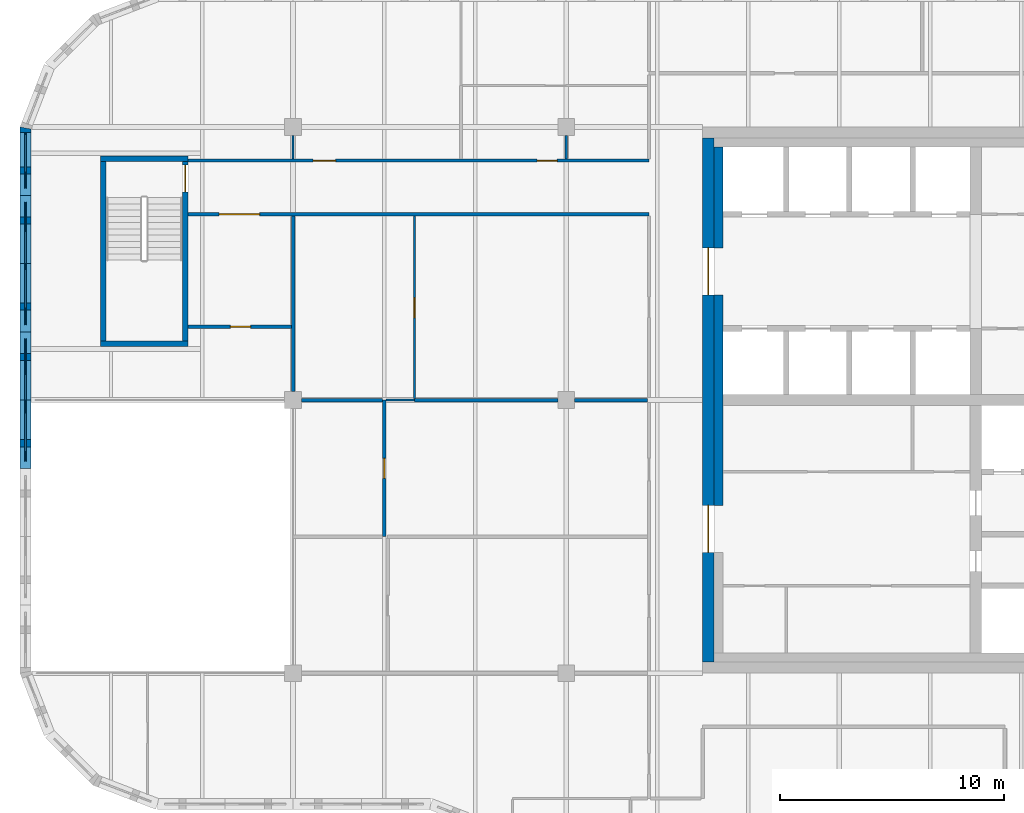
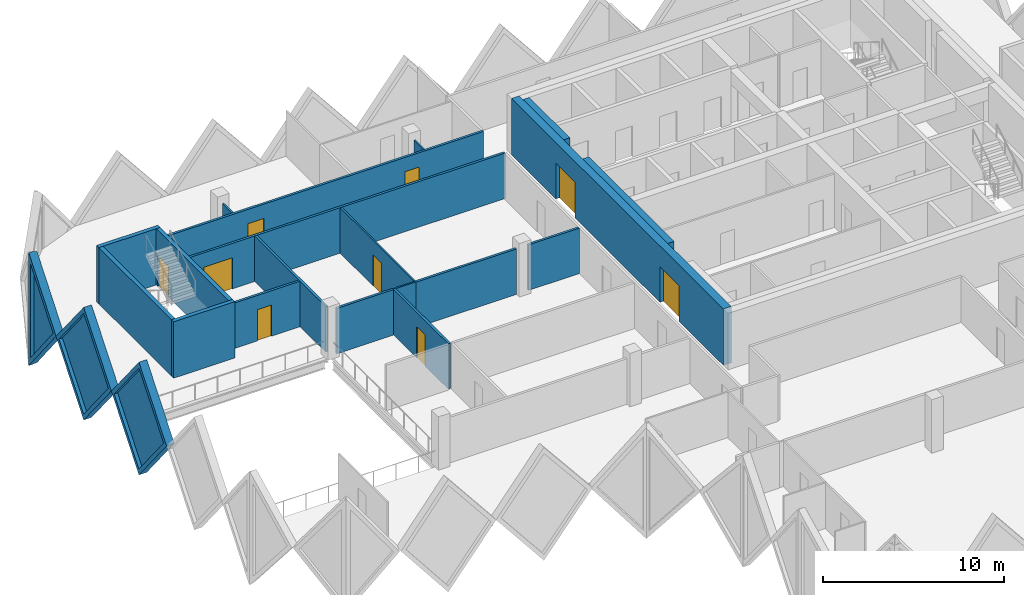
# One storey, part 7 of 12: 22 walls, 9 doors, 3 plates, 12 openings.
"""IFC4 building model written with IfcOpenShell, lengths in metres."""

from ifc_helpers import new_model, si_unit, direction, frame, frame_2d, origin, place, context, subcontext, project, spatial, polyline, rectangle, outline, extrude, faceted_brep, source, transform, mapped, material, layer, layer_set, type_object, element, fill, save


model = new_model("IFC4")

# Units and contexts
model_context = context("Model", 3, precision=1e-05, world=origin(), true_north=direction((0.0, 1.0)))
body_context = subcontext(model_context, "Body", "Model", "MODEL_VIEW")
ifc_project = project(units=[si_unit("LENGTHUNIT", "METRE"), si_unit("AREAUNIT", "SQUARE_METRE"), si_unit("VOLUMEUNIT", "CUBIC_METRE"), si_unit("PLANEANGLEUNIT", "RADIAN"), si_unit("MASSUNIT", "GRAM", prefix="KILO")], contexts=[model_context])

# Site, building, storey
site_placement = place(None, origin())
site = spatial("IfcSite", under=ifc_project, at=site_placement, CompositionType="ELEMENT")
building_placement = place(site_placement, origin())
building = spatial("IfcBuilding", under=site, at=building_placement, Name="Tessera Gate Towers", CompositionType="ELEMENT")
storey_placement = place(building_placement, frame((0.0, 0.0, 209.300048828125)))
storey = spatial("IfcBuildingStorey", under=building, at=storey_placement, Name="L52", CompositionType="ELEMENT", Elevation=209.300048828125)

# Walls
ifc_material_1 = material(Name="Concrete C40/50", Category="concrete")
ifc_layer_1 = layer(ifc_material_1, 0.25)
ifc_layer_set_1 = layer_set([ifc_layer_1], Name="CORE ENCLOSURE WALL 250")
wall_type_1 = type_object("IfcWallType", Name="CORE ENCLOSURE WALL 250", PredefinedType="SOLIDWALL", material=ifc_layer_set_1)
wall_1_placement = place(storey_placement, frame((7.5, 39.125, 0.0), z_axis=(0.0, 0.0, 1.0), x_axis=(-1.0, 0.0, 0.0)))
element("IfcWall", 1, at=wall_1_placement, inside=storey, type_object=wall_type_1, Name="L52 ST3 enclosure wall", PredefinedType="SOLIDWALL", context=body_context, shape_type="SweptSolid", body=[
    extrude(rectangle(XDim=3.89990234375, YDim=0.25, at=frame_2d((1.949951171875, 0.0))), origin(), (0.0, 0.0, 1.0), 3.800048828125),
])
wall_2_placement = place(storey_placement, frame((3.72509765625, 39.25, 0.0), z_axis=(0.0, 0.0, 1.0), x_axis=(0.0, 1.0, 0.0)))
element("IfcWall", 2, at=wall_2_placement, inside=storey, type_object=wall_type_1, Name="L52 ST3 enclosure wall", PredefinedType="SOLIDWALL", context=body_context, shape_type="SweptSolid", body=[
    extrude(rectangle(XDim=8.0, YDim=0.25, at=frame_2d((4.0, 0.0))), origin(), (0.0, 0.0, 1.0), 3.800048828125),
])
wall_3_placement = place(storey_placement, frame((3.60009765625, 47.375, 0.0), z_axis=(0.0, 0.0, 1.0), x_axis=(1.0, 0.0, 0.0)))
element("IfcWall", 3, at=wall_3_placement, inside=storey, type_object=wall_type_1, Name="L52 ST3 enclosure wall", PredefinedType="SOLIDWALL", context=body_context, shape_type="SweptSolid", body=[
    extrude(rectangle(XDim=3.89990234375, YDim=0.25, at=frame_2d((1.949951171875, 0.0))), origin(), (0.0, 0.0, 1.0), 3.800048828125),
])

# Wall, opening, door
wall_4_placement = place(storey_placement, frame((7.375, 47.25, 0.0), z_axis=(0.0, 0.0, 1.0), x_axis=(0.0, -1.0, 0.0)))
wall_4 = element("IfcWall", 4, at=wall_4_placement, inside=storey, type_object=wall_type_1, Name="L52 ST3 enclosure wall", PredefinedType="SOLIDWALL", context=body_context, shape_type="SweptSolid", body=[
    extrude(rectangle(XDim=8.0, YDim=0.25, at=frame_2d((4.0, 0.0))), origin(), (0.0, 0.0, 1.0), 3.800048828125),
])
shared_shape_1 = source(origin(), body_context, "Body", "SweptSolid", [
    extrude(rectangle(XDim=1.199951171875, YDim=2.10009765625, at=frame_2d((0.60009765625, 1.050048828125))), frame((0.0, 0.135009765625, 0.0), z_axis=(0.0, -1.0, 0.0), x_axis=(1.0, 0.0, 0.0)), (0.0, 0.0, 1.0), 0.27001953125),
])
opening_1_placement = place(wall_4_placement, frame((0.14990234375, 0.0, 0.0)))
opening_1 = element("IfcOpeningElement", 5, at=opening_1_placement, cuts=wall_4, Name="Opening SD-ST3-1", PredefinedType="OPENING", context=body_context, shape_type="MappedRepresentation", body=[
    mapped(shared_shape_1, transform((0.0, 0.0, 0.0), scale=1.0)),
])
ifc_material_2 = material(Name="Hollow steel fire door", Category="steel")
door_type_1 = type_object("IfcDoorType", Name="CORE DOOR SD 1200x2100", OperationType="NOTDEFINED", PredefinedType="DOOR", material=ifc_material_2)
shared_shape_2 = source(origin(), body_context, "Body", "SweptSolid", [
    extrude(rectangle(XDim=1.199951171875, YDim=2.10009765625, at=frame_2d((0.60009765625, 1.050048828125))), frame((0.0, 0.02490234375, 0.0), z_axis=(0.0, -1.0, 0.0), x_axis=(1.0, 0.0, 0.0)), (0.0, 0.0, 1.0), 0.050048828125),
])
door_1_placement = place(opening_1_placement, origin())
door_1 = element("IfcDoor", 6, at=door_1_placement, inside=storey, type_object=door_type_1, Name="Stair door", OperationType="SINGLE_SWING_LEFT", OverallHeight=2.10009765625, OverallWidth=1.199951171875, PredefinedType="DOOR", context=body_context, shape_type="MappedRepresentation", body=[
    mapped(shared_shape_2, transform((0.0, 0.0, 0.0), scale=1.0)),
])
fill(opening_1, door_1)

# Wall, openings, doors
ifc_material_3 = material(Name="Concrete C50/60", Category="concrete")
ifc_layer_2 = layer(ifc_material_3, 0.5)
ifc_layer_set_2 = layer_set([ifc_layer_2], Name="CORE SHEAR WALL 500 C50/60")
wall_type_2 = type_object("IfcWallType", Name="CORE SHEAR WALL 500 C50/60", PredefinedType="SHEAR", material=ifc_layer_set_2)
wall_5_placement = place(storey_placement, frame((30.75, 24.89990234375, 0.0), z_axis=(0.0, 0.0, 1.0), x_axis=(0.0, 1.0, 0.0)))
wall_5 = element("IfcWall", 7, at=wall_5_placement, inside=storey, type_object=wall_type_2, Name="Core wall W L52", PredefinedType="SHEAR", context=body_context, shape_type="SweptSolid", body=[
    extrude(rectangle(XDim=23.400146484375, YDim=0.5, at=frame_2d((11.7001953125, 0.0))), origin(), (0.0, 0.0, 1.0), 3.800048828125),
])
shared_shape_3 = source(origin(), body_context, "Body", "SweptSolid", [
    extrude(rectangle(XDim=2.10009765625, YDim=2.39990234375, at=frame_2d((1.050048828125, 1.199951171875))), frame((0.0, 0.260009765625, 0.0), z_axis=(0.0, -1.0, 0.0), x_axis=(1.0, 0.0, 0.0)), (0.0, 0.0, 1.0), 0.52001953125),
])
opening_2_placement = place(wall_5_placement, frame((4.89990234375, 0.0, 0.0)))
opening_2 = element("IfcOpeningElement", 8, at=opening_2_placement, cuts=wall_5, Name="Opening DD-T1-32-02", PredefinedType="OPENING", context=body_context, shape_type="MappedRepresentation", body=[
    mapped(shared_shape_3, transform((0.0, 0.0, 0.0), scale=1.0)),
])
opening_3_placement = place(wall_5_placement, frame((16.39990234375, 0.0, 0.0)))
opening_3 = element("IfcOpeningElement", 9, at=opening_3_placement, cuts=wall_5, Name="Opening DD-T1-32-03", PredefinedType="OPENING", context=body_context, shape_type="MappedRepresentation", body=[
    mapped(shared_shape_3, transform((0.0, 0.0, 0.0), scale=1.0)),
])
ifc_material_4 = material(Name="Hollow steel fire door", Category="steel")
door_type_2 = type_object("IfcDoorType", Name="CORE DOOR DD 2100x2400", OperationType="NOTDEFINED", PredefinedType="DOOR", material=ifc_material_4)
shared_shape_4 = source(origin(), body_context, "Body", "SweptSolid", [
    extrude(rectangle(XDim=2.10009765625, YDim=2.39990234375, at=frame_2d((1.050048828125, 1.199951171875))), frame((0.0, 0.02490234375, 0.0), z_axis=(0.0, -1.0, 0.0), x_axis=(1.0, 0.0, 0.0)), (0.0, 0.0, 1.0), 0.050048828125),
])
door_2_placement = place(opening_2_placement, origin())
door_2 = element("IfcDoor", 10, at=door_2_placement, inside=storey, type_object=door_type_2, Name="Core entrance door", OperationType="DOUBLE_DOOR_SINGLE_SWING", OverallHeight=2.39990234375, OverallWidth=2.10009765625, PredefinedType="DOOR", context=body_context, shape_type="MappedRepresentation", body=[
    mapped(shared_shape_4, transform((0.0, 0.0, 0.0), scale=1.0)),
])
fill(opening_2, door_2)
door_3_placement = place(opening_3_placement, origin())
door_3 = element("IfcDoor", 11, at=door_3_placement, inside=storey, type_object=door_type_2, Name="Core entrance door", OperationType="DOUBLE_DOOR_SINGLE_SWING", OverallHeight=2.39990234375, OverallWidth=2.10009765625, PredefinedType="DOOR", context=body_context, shape_type="MappedRepresentation", body=[
    mapped(shared_shape_4, transform((0.0, 0.0, 0.0), scale=1.0)),
])
fill(opening_3, door_3)

# Walls
ifc_material_5 = material(Name="Concrete C50/60", Category="concrete")
ifc_layer_3 = layer(ifc_material_5, 0.39990234375)
ifc_layer_set_3 = layer_set([ifc_layer_3], Name="CORE WALL THICKENING 400")
wall_type_3 = type_object("IfcWallType", Name="CORE WALL THICKENING 400", PredefinedType="SOLIDWALL", material=ifc_layer_set_3)
wall_6_placement = place(storey_placement, frame((31.199951171875, 31.89990234375, 0.0), z_axis=(0.0, 0.0, 1.0), x_axis=(0.0, 1.0, 0.0)))
element("IfcWall", 12, at=wall_6_placement, inside=storey, type_object=wall_type_3, Name="Core wall thickening W L52", PredefinedType="SOLIDWALL", context=body_context, shape_type="SweptSolid", body=[
    extrude(rectangle(XDim=9.400146484375, YDim=0.39990234375, at=frame_2d((4.7001953125, 0.0))), origin(), (0.0, 0.0, 1.0), 3.800048828125),
])
wall_7_placement = place(storey_placement, frame((31.199951171875, 43.39990234375, 0.0), z_axis=(0.0, 0.0, 1.0), x_axis=(0.0, 1.0, 0.0)))
element("IfcWall", 13, at=wall_7_placement, inside=storey, type_object=wall_type_3, Name="Core wall thickening W L52", PredefinedType="SOLIDWALL", context=body_context, shape_type="SweptSolid", body=[
    extrude(rectangle(XDim=4.5, YDim=0.39990234375, at=frame_2d((2.25, 0.0))), origin(), (0.0, 0.0, 1.0), 3.800048828125),
])

# Wall, opening, door
ifc_material_6 = material(Name="Gypsum board on steel studs, mineral wool", Category="steel")
ifc_layer_4 = layer(ifc_material_6, 0.14990234375)
ifc_layer_set_4 = layer_set([ifc_layer_4], Name="CORRIDOR WALL 150")
wall_type_4 = type_object("IfcWallType", Name="CORRIDOR WALL 150", PredefinedType="PARTITIONING", material=ifc_layer_set_4)
wall_8_placement = place(storey_placement, frame((28.10009765625, 44.89990234375, 0.0), z_axis=(0.0, 0.0, 1.0), x_axis=(-1.0, 0.0, 0.0)))
wall_8 = element("IfcWall", 14, at=wall_8_placement, inside=storey, type_object=wall_type_4, Name="T1-L52-PW-045", PredefinedType="PARTITIONING", context=body_context, shape_type="SweptSolid", body=[
    extrude(rectangle(XDim=20.60009765625, YDim=0.14990234375, at=frame_2d((10.300048828125, 0.0))), origin(), (0.0, 0.0, 1.0), 3.06689453125),
])
shared_shape_5 = source(origin(), body_context, "Body", "SweptSolid", [
    extrude(rectangle(XDim=1.800048828125, YDim=2.10009765625, at=frame_2d((0.89990234375, 1.050048828125))), frame((0.0, 0.0849609375, 0.0), z_axis=(0.0, -1.0, 0.0), x_axis=(1.0, 0.0, 0.0)), (0.0, 0.0, 1.0), 0.169921875),
])
opening_4_placement = place(wall_8_placement, frame((17.39990234375, 0.0, 0.0)))
opening_4 = element("IfcOpeningElement", 15, at=opening_4_placement, cuts=wall_8, Name="Opening D2180FD60-A19-01", PredefinedType="OPENING", context=body_context, shape_type="MappedRepresentation", body=[
    mapped(shared_shape_5, transform((0.0, 0.0, 0.0), scale=1.0)),
])
ifc_material_7 = material(Name="Timber door leaf in steel frame", Category="steel")
door_type_3 = type_object("IfcDoorType", Name="TENANCY ENTRANCE DOUBLE DOOR 1800 FD60", OperationType="NOTDEFINED", PredefinedType="DOOR", material=ifc_material_7)
shared_shape_6 = source(origin(), body_context, "Body", "SweptSolid", [
    extrude(rectangle(XDim=1.800048828125, YDim=2.10009765625, at=frame_2d((0.89990234375, 1.050048828125))), frame((0.0, 0.02490234375, 0.0), z_axis=(0.0, -1.0, 0.0), x_axis=(1.0, 0.0, 0.0)), (0.0, 0.0, 1.0), 0.050048828125),
])
door_4_placement = place(opening_4_placement, origin())
door_4 = element("IfcDoor", 16, at=door_4_placement, inside=storey, type_object=door_type_3, Name="T1-L52-PD-006", OperationType="DOUBLE_DOOR_SINGLE_SWING", OverallHeight=2.10009765625, OverallWidth=1.800048828125, PredefinedType="DOOR", context=body_context, shape_type="MappedRepresentation", body=[
    mapped(shared_shape_6, transform((0.0, 0.0, 0.0), scale=1.0)),
])
fill(opening_4, door_4)

# Wall, openings, doors
wall_9_placement = place(storey_placement, frame((7.5, 47.300048828125, 0.0), z_axis=(0.0, 0.0, 1.0), x_axis=(1.0, 0.0, 0.0)))
wall_9 = element("IfcWall", 17, at=wall_9_placement, inside=storey, type_object=wall_type_4, Name="T1-L52-PW-046", PredefinedType="PARTITIONING", context=body_context, shape_type="SweptSolid", body=[
    extrude(rectangle(XDim=20.60009765625, YDim=0.14990234375, at=frame_2d((10.300048828125, 0.0))), origin(), (0.0, 0.0, 1.0), 3.06689453125),
])
shared_shape_7 = source(origin(), body_context, "Body", "SweptSolid", [
    extrude(rectangle(XDim=0.89990234375, YDim=2.10009765625, at=frame_2d((0.449951171875, 1.050048828125))), frame((0.0, 0.0849609375, 0.0), z_axis=(0.0, -1.0, 0.0), x_axis=(1.0, 0.0, 0.0)), (0.0, 0.0, 1.0), 0.169921875),
])
opening_5_placement = place(wall_9_placement, frame((15.60107421875, 0.0, 0.0)))
opening_5 = element("IfcOpeningElement", 18, at=opening_5_placement, cuts=wall_9, Name="Opening D890FD60-A19-05", PredefinedType="OPENING", context=body_context, shape_type="MappedRepresentation", body=[
    mapped(shared_shape_7, transform((0.0, 0.0, 0.0), scale=1.0)),
])
shared_shape_8 = source(origin(), body_context, "Body", "SweptSolid", [
    extrude(rectangle(XDim=1.0, YDim=2.10009765625, at=frame_2d((0.5, 1.050048828125))), frame((0.0, 0.0849609375, 0.0), z_axis=(0.0, -1.0, 0.0), x_axis=(1.0, 0.0, 0.0)), (0.0, 0.0, 1.0), 0.169921875),
])
opening_6_placement = place(wall_9_placement, frame((5.60009765625, 0.0, 0.0)))
opening_6 = element("IfcOpeningElement", 19, at=opening_6_placement, cuts=wall_9, Name="Opening D2100FD60-A19-03", PredefinedType="OPENING", context=body_context, shape_type="MappedRepresentation", body=[
    mapped(shared_shape_8, transform((0.0, 0.0, 0.0), scale=1.0)),
])
ifc_material_8 = material(Name="Timber door leaf in steel frame", Category="steel")
door_type_4 = type_object("IfcDoorType", Name="CORRIDOR DOOR 900 FD60", OperationType="NOTDEFINED", PredefinedType="DOOR", material=ifc_material_8)
shared_shape_9 = source(origin(), body_context, "Body", "SweptSolid", [
    extrude(rectangle(XDim=0.89990234375, YDim=2.10009765625, at=frame_2d((0.449951171875, 1.050048828125))), frame((0.0, 0.02490234375, 0.0), z_axis=(0.0, -1.0, 0.0), x_axis=(1.0, 0.0, 0.0)), (0.0, 0.0, 1.0), 0.050048828125),
])
door_5_placement = place(opening_5_placement, origin())
door_5 = element("IfcDoor", 20, at=door_5_placement, inside=storey, type_object=door_type_4, Name="T1-L52-PD-020", OperationType="SINGLE_SWING_RIGHT", OverallHeight=2.10009765625, OverallWidth=0.89990234375, PredefinedType="DOOR", context=body_context, shape_type="MappedRepresentation", body=[
    mapped(shared_shape_9, transform((0.0, 0.0, 0.0), scale=1.0)),
])
fill(opening_5, door_5)
ifc_material_9 = material(Name="Timber door leaf in steel frame", Category="steel")
door_type_5 = type_object("IfcDoorType", Name="TENANCY ENTRANCE DOOR 1000 FD60", OperationType="NOTDEFINED", PredefinedType="DOOR", material=ifc_material_9)
shared_shape_10 = source(origin(), body_context, "Body", "SweptSolid", [
    extrude(rectangle(XDim=1.0, YDim=2.10009765625, at=frame_2d((0.5, 1.050048828125))), frame((0.0, 0.02490234375, 0.0), z_axis=(0.0, -1.0, 0.0), x_axis=(1.0, 0.0, 0.0)), (0.0, 0.0, 1.0), 0.050048828125),
])
door_6_placement = place(opening_6_placement, origin())
door_6 = element("IfcDoor", 21, at=door_6_placement, inside=storey, type_object=door_type_5, Name="T1-L52-PD-025", OperationType="SINGLE_SWING_LEFT", OverallHeight=2.10009765625, OverallWidth=1.0, PredefinedType="DOOR", context=body_context, shape_type="MappedRepresentation", body=[
    mapped(shared_shape_10, transform((0.0, 0.0, 0.0), scale=1.0)),
])
fill(opening_6, door_6)

# Wall
ifc_material_10 = material(Name="Glass", Category="glass")
ifc_layer_5 = layer(ifc_material_10, 0.10009765625)
ifc_layer_set_5 = layer_set([ifc_layer_5], Name="GLAZED PARTITION 100")
wall_type_5 = type_object("IfcWallType", Name="GLAZED PARTITION 100", PredefinedType="PARTITIONING", material=ifc_layer_set_5)
wall_10_placement = place(storey_placement, frame((16.35107421875, 36.60009765625, 0.0), z_axis=(0.0, 0.0, 1.0), x_axis=(1.0, 0.0, 0.0)))
element("IfcWall", 22, at=wall_10_placement, inside=storey, type_object=wall_type_5, Name="T1-L52-PW-039", PredefinedType="PARTITIONING", context=body_context, shape_type="SweptSolid", body=[
    extrude(rectangle(XDim=1.27294921875, YDim=0.10009765625, at=frame_2d((0.636474609375, 0.0))), origin(), (0.0, 0.0, 1.0), 3.06689453125),
])

# Wall, opening, door
wall_11_placement = place(storey_placement, frame((17.625, 36.676025390625, 0.0), z_axis=(0.0, 0.0, 1.0), x_axis=(0.0, 1.0, 0.0)))
wall_11 = element("IfcWall", 23, at=wall_11_placement, inside=storey, type_object=wall_type_5, Name="T1-L52-PW-042", PredefinedType="PARTITIONING", context=body_context, shape_type="SweptSolid", body=[
    extrude(rectangle(XDim=8.14794921875, YDim=0.10009765625, at=frame_2d((4.073974609375, 0.0))), origin(), (0.0, 0.0, 1.0), 3.06689453125),
])
shared_shape_11 = source(origin(), body_context, "Body", "SweptSolid", [
    extrude(rectangle(XDim=0.89990234375, YDim=2.10009765625, at=frame_2d((0.449951171875, 1.050048828125))), frame((0.0, 0.06005859375, 0.0), z_axis=(0.0, -1.0, 0.0), x_axis=(1.0, 0.0, 0.0)), (0.0, 0.0, 1.0), 0.1201171875),
])
opening_7_placement = place(wall_11_placement, frame((3.60009765625, 0.0, 0.0)))
opening_7 = element("IfcOpeningElement", 24, at=opening_7_placement, cuts=wall_11, Name="Opening D690-A19-06", PredefinedType="OPENING", context=body_context, shape_type="MappedRepresentation", body=[
    mapped(shared_shape_11, transform((0.0, 0.0, 0.0), scale=1.0)),
])
ifc_material_11 = material(Name="Glass in aluminium frame", Category="aluminium")
door_type_6 = type_object("IfcDoorType", Name="GLAZED DOOR 900 NOT RATED", OperationType="NOTDEFINED", PredefinedType="DOOR", material=ifc_material_11)
door_7_placement = place(opening_7_placement, origin())
door_7 = element("IfcDoor", 25, at=door_7_placement, inside=storey, type_object=door_type_6, Name="T1-L52-PD-017", OperationType="SINGLE_SWING_LEFT", OverallHeight=2.10009765625, OverallWidth=0.89990234375, PredefinedType="DOOR", context=body_context, shape_type="MappedRepresentation", body=[
    mapped(shared_shape_9, transform((0.0, 0.0, 0.0), scale=1.0)),
])
fill(opening_7, door_7)

# Walls
ifc_material_12 = material(Name="Gypsum board on steel studs", Category="steel")
ifc_layer_6 = layer(ifc_material_12, 0.10009765625)
ifc_layer_set_6 = layer_set([ifc_layer_6], Name="PARTITION 100")
wall_type_6 = type_object("IfcWallType", Name="PARTITION 100", PredefinedType="PARTITIONING", material=ifc_layer_set_6)
for number, where, z_axis, x_axis, name in (
    (26, (12.199951171875, 48.425048828125, 0.0), (0.0, 0.0, 1.0), (0.0, -1.0, 0.0), "T1-L52-PW-049"),
    (27, (24.39990234375, 48.425048828125, 0.0), (0.0, 0.0, 1.0), (0.0, -1.0, 0.0), "T1-L52-PW-050"),
):
    element("IfcWall", number, at=place(storey_placement, frame(where, z_axis=z_axis, x_axis=x_axis)), inside=storey, type_object=wall_type_6, Name=name, PredefinedType="PARTITIONING", context=body_context, shape_type="SweptSolid", body=[
        extrude(rectangle(XDim=1.050048828125, YDim=0.10009765625, at=frame_2d((0.52490234375, 0.0))), origin(), (0.0, 0.0, 1.0), 3.06689453125),
    ])

# Wall, opening, door
ifc_material_13 = material(Name="Gypsum board on steel studs, mineral wool", Category="steel")
ifc_layer_7 = layer(ifc_material_13, 0.14990234375)
ifc_layer_set_7 = layer_set([ifc_layer_7], Name="TENANCY WALL 150")
wall_type_7 = type_object("IfcWallType", Name="TENANCY WALL 150", PredefinedType="PARTITIONING", material=ifc_layer_set_7)
wall_12_placement = place(storey_placement, frame((16.27490234375, 30.5, 0.0), z_axis=(0.0, 0.0, 1.0), x_axis=(0.0, 1.0, 0.0)))
wall_12 = element("IfcWall", 28, at=wall_12_placement, inside=storey, type_object=wall_type_7, Name="T1-L52-PW-036", PredefinedType="PARTITIONING", context=body_context, shape_type="SweptSolid", body=[
    extrude(rectangle(XDim=6.10009765625, YDim=0.14990234375, at=frame_2d((3.050048828125, 0.0))), origin(), (0.0, 0.0, 1.0), 3.06689453125),
])
opening_8_placement = place(wall_12_placement, frame((2.60009765625, 0.0, 0.0)))
opening_8 = element("IfcOpeningElement", 29, at=opening_8_placement, cuts=wall_12, Name="Opening D190-A19-05", PredefinedType="OPENING", context=body_context, shape_type="MappedRepresentation", body=[
    mapped(shared_shape_7, transform((0.0, 0.0, 0.0), scale=1.0)),
])
ifc_material_14 = material(Name="Timber door leaf in steel frame", Category="steel")
door_type_7 = type_object("IfcDoorType", Name="INTERNAL DOOR 900 NOT RATED", OperationType="NOTDEFINED", PredefinedType="DOOR", material=ifc_material_14)
door_8_placement = place(opening_8_placement, origin())
door_8 = element("IfcDoor", 30, at=door_8_placement, inside=storey, type_object=door_type_7, Name="T1-L52-PD-014", OperationType="SINGLE_SWING_LEFT", OverallHeight=2.10009765625, OverallWidth=0.89990234375, PredefinedType="DOOR", context=body_context, shape_type="MappedRepresentation", body=[
    mapped(shared_shape_9, transform((0.0, 0.0, 0.0), scale=1.0)),
])
fill(opening_8, door_8)

# Walls
wall_13_placement = place(storey_placement, frame((12.575927734375, 36.60009765625, 0.0), z_axis=(0.0, 0.0, 1.0), x_axis=(1.0, 0.0, 0.0)))
element("IfcWall", 31, at=wall_13_placement, inside=storey, type_object=wall_type_7, Name="T1-L52-PW-038", PredefinedType="PARTITIONING", context=body_context, shape_type="SweptSolid", body=[
    extrude(rectangle(XDim=3.623046875, YDim=0.14990234375, at=frame_2d((1.8115234375, 0.0))), origin(), (0.0, 0.0, 1.0), 3.06689453125),
])
wall_14_placement = place(storey_placement, frame((17.625, 36.60009765625, 0.0), z_axis=(0.0, 0.0, 1.0), x_axis=(1.0, 0.0, 0.0)))
element("IfcWall", 32, at=wall_14_placement, inside=storey, type_object=wall_type_7, Name="T1-L52-PW-040", PredefinedType="PARTITIONING", context=body_context, shape_type="SweptSolid", body=[
    extrude(rectangle(XDim=6.39892578125, YDim=0.14990234375, at=frame_2d((3.199462890625, 0.0))), origin(), (0.0, 0.0, 1.0), 3.06689453125),
])
wall_15_placement = place(storey_placement, frame((24.77587890625, 36.60009765625, 0.0), z_axis=(0.0, 0.0, 1.0), x_axis=(1.0, 0.0, 0.0)))
element("IfcWall", 33, at=wall_15_placement, inside=storey, type_object=wall_type_7, Name="T1-L52-PW-041", PredefinedType="PARTITIONING", context=body_context, shape_type="SweptSolid", body=[
    extrude(rectangle(XDim=3.248046875, YDim=0.14990234375, at=frame_2d((1.6240234375, 0.0))), origin(), (0.0, 0.0, 1.0), 3.06689453125),
])
wall_16_placement = place(storey_placement, frame((12.199951171875, 36.97607421875, 0.0), z_axis=(0.0, 0.0, 1.0), x_axis=(0.0, 1.0, 0.0)))
element("IfcWall", 34, at=wall_16_placement, inside=storey, type_object=wall_type_7, Name="T1-L52-PW-043", PredefinedType="PARTITIONING", context=body_context, shape_type="SweptSolid", body=[
    extrude(rectangle(XDim=7.847900390625, YDim=0.14990234375, at=frame_2d((3.923828125, 0.0))), origin(), (0.0, 0.0, 1.0), 3.06689453125),
])

# Wall, opening, door
wall_17_placement = place(storey_placement, frame((12.1240234375, 39.875, 0.0), z_axis=(0.0, 0.0, 1.0), x_axis=(-1.0, 0.0, 0.0)))
wall_17 = element("IfcWall", 35, at=wall_17_placement, inside=storey, type_object=wall_type_7, Name="T1-L52-PW-044", PredefinedType="PARTITIONING", context=body_context, shape_type="SweptSolid", body=[
    extrude(rectangle(XDim=4.6240234375, YDim=0.14990234375, at=frame_2d((2.31201171875, 0.0))), origin(), (0.0, 0.0, 1.0), 3.06689453125),
])
opening_9_placement = place(wall_17_placement, frame((1.823974609375, 0.0, 0.0)))
opening_9 = element("IfcOpeningElement", 36, at=opening_9_placement, cuts=wall_17, Name="Opening D190-A19-03", PredefinedType="OPENING", context=body_context, shape_type="MappedRepresentation", body=[
    mapped(shared_shape_7, transform((0.0, 0.0, 0.0), scale=1.0)),
])
door_9_placement = place(opening_9_placement, origin())
door_9 = element("IfcDoor", 37, at=door_9_placement, inside=storey, type_object=door_type_7, Name="T1-L52-PD-005", OperationType="SINGLE_SWING_RIGHT", OverallHeight=2.10009765625, OverallWidth=0.89990234375, PredefinedType="DOOR", context=body_context, shape_type="MappedRepresentation", body=[
    mapped(shared_shape_9, transform((0.0, 0.0, 0.0), scale=1.0)),
])
fill(opening_9, door_9)

# Wall, opening, plate
ifc_material_15 = material(Name="Precast concrete C60/75 white", Category="concrete")
ifc_layer_8 = layer(ifc_material_15, 0.5)
ifc_layer_set_8 = layer_set([ifc_layer_8], Name="TS1 tessera")
wall_type_8 = type_object("IfcWallType", Name="TS1 tessera", PredefinedType="SOLIDWALL", material=ifc_layer_set_8)
shared_shape_12 = source(origin(), body_context, "Body", "Brep", [
    faceted_brep([(3.050048828125, -0.25, 0.0), (6.099853515625, -0.25, 3.7998046875), (6.099853515625, -0.25, 3.80029296875), (3.050048828125, -0.25, 7.60009765625), (0.0, -0.25, 3.800048828125), (0.0, 0.25, 3.800048828125), (3.050048828125, 0.25, 7.60009765625), (6.099853515625, 0.25, 3.80029296875), (6.099853515625, 0.25, 3.7998046875), (3.050048828125, 0.25, 0.0)], [[[0, 1, 2, 3, 4]], [[5, 6, 7, 8, 9]], [[9, 8, 1, 0]], [[7, 6, 3, 2]], [[6, 5, 4, 3]], [[5, 9, 0, 4]], [[1, 8, 7, 2]]]),
])
wall_18_placement = place(storey_placement, frame((0.25, 39.64990234375, -3.800048828125), z_axis=(0.0, 0.0, 1.0), x_axis=(0.0, -1.0, 0.0)))
wall_18 = element("IfcWall", 38, at=wall_18_placement, inside=storey, type_object=wall_type_8, Name="Precast tessera T1 TS1-0916", PredefinedType="SOLIDWALL", context=body_context, shape_type="MappedRepresentation", body=[
    mapped(shared_shape_12, transform((0.0, 0.0, 0.0), scale=1.0)),
])
shared_shape_13 = source(origin(), body_context, "Body", "SweptSolid", [
    extrude(outline(polyline([(3.050048828125, 0.3994140625), (5.779541015625, 3.800048828125), (3.050048828125, 7.20068359375), (0.320556640625, 3.800048828125), (3.050048828125, 0.3994140625)])), frame((0.0, 0.260009765625, 0.0), z_axis=(0.0, -1.0, 0.0), x_axis=(1.0, 0.0, 0.0)), (0.0, 0.0, 1.0), 0.52001953125),
])
opening_10_placement = place(wall_18_placement, origin())
opening_10 = element("IfcOpeningElement", 39, at=opening_10_placement, cuts=wall_18, Name="Opening T1-PL2-1864", PredefinedType="OPENING", context=body_context, shape_type="MappedRepresentation", body=[
    mapped(shared_shape_13, transform((0.0, 0.0, 0.0), scale=1.0)),
])
ifc_material_16 = material(Name="Low-e laminated glass", Category="glass")
ifc_layer_9 = layer(ifc_material_16, 0.06005859375)
ifc_layer_set_9 = layer_set([ifc_layer_9], Name="PL2 rhombic pane")
plate_type = type_object("IfcPlateType", Name="PL2 rhombic pane", PredefinedType="SHEET", material=ifc_layer_set_9)
shared_shape_14 = source(origin(), body_context, "Body", "SweptSolid", [
    extrude(outline(polyline([(3.050048828125, 0.3994140625), (5.779541015625, 3.800048828125), (3.050048828125, 7.20068359375), (0.320556640625, 3.800048828125), (3.050048828125, 0.3994140625)])), frame((0.0, 0.030029296875, 0.0), z_axis=(0.0, -1.0, 0.0), x_axis=(1.0, 0.0, 0.0)), (0.0, 0.0, 1.0), 0.06005859375),
])
plate_1_placement = place(opening_10_placement, origin())
plate_1 = element("IfcPlate", 40, at=plate_1_placement, inside=storey, type_object=plate_type, Name="Glass pane T1 PL2-1864", PredefinedType="SHEET", context=body_context, shape_type="MappedRepresentation", body=[
    mapped(shared_shape_14, transform((0.0, 0.0, 0.0), scale=1.0)),
])
fill(opening_10, plate_1)

shared_shape_15 = source(origin(), body_context, "Body", "SweptSolid", [
    extrude(outline(polyline([(3.050048828125, 0.0), (6.10009765625, 3.800048828125), (3.050048828125, 7.60009765625), (0.0, 3.800048828125), (3.050048828125, 0.0)])), frame((0.0, 0.25, 0.0), z_axis=(0.0, -1.0, 0.0), x_axis=(1.0, 0.0, 0.0)), (0.0, 0.0, 1.0), 0.5),
])
wall_19_placement = place(storey_placement, frame((0.25, 45.75, -3.800048828125), z_axis=(0.0, 0.0, 1.0), x_axis=(0.0, -1.0, 0.0)))
wall_19 = element("IfcWall", 41, at=wall_19_placement, inside=storey, type_object=wall_type_8, Name="Precast tessera T1 TS1-0915", PredefinedType="SOLIDWALL", context=body_context, shape_type="MappedRepresentation", body=[
    mapped(shared_shape_15, transform((0.0, 0.0, 0.0), scale=1.0)),
])
opening_11_placement = place(wall_19_placement, origin())
opening_11 = element("IfcOpeningElement", 42, at=opening_11_placement, cuts=wall_19, Name="Opening T1-PL2-1863", PredefinedType="OPENING", context=body_context, shape_type="MappedRepresentation", body=[
    mapped(shared_shape_13, transform((0.0, 0.0, 0.0), scale=1.0)),
])
plate_2_placement = place(opening_11_placement, origin())
plate_2 = element("IfcPlate", 43, at=plate_2_placement, inside=storey, type_object=plate_type, Name="Glass pane T1 PL2-1863", PredefinedType="SHEET", context=body_context, shape_type="MappedRepresentation", body=[
    mapped(shared_shape_14, transform((0.0, 0.0, 0.0), scale=1.0)),
])
fill(opening_11, plate_2)

ifc_material_17 = material(Name="Precast concrete C60/75 white", Category="concrete")
ifc_layer_10 = layer(ifc_material_17, 0.5)
ifc_layer_set_10 = layer_set([ifc_layer_10], Name="TS3 corner tessera")
wall_type_9 = type_object("IfcWallType", Name="TS3 corner tessera", PredefinedType="SOLIDWALL", material=ifc_layer_set_10)
shared_shape_16 = source(origin(), body_context, "Body", "Brep", [
    faceted_brep([(0.046630859375, -0.25, 0.0), (3.050048828125, -0.25, 3.800048828125), (0.046630859375, -0.25, 7.60009765625), (0.0, -0.25, 7.5400390625), (0.0, -0.25, 0.06005859375), (0.09326171875, 0.25, 7.541259765625), (3.050048828125, 0.25, 3.800048828125), (0.09326171875, 0.25, 0.058837890625), (0.046630859375, 0.0, 0.0), (0.046630859375, 0.0, 7.60009765625)], [[[0, 1, 2, 3, 4]], [[5, 6, 7]], [[7, 6, 1, 0, 8]], [[6, 5, 9, 2, 1]], [[3, 2, 9]], [[8, 0, 4]], [[7, 8, 4, 3, 9, 5]]]),
])
wall_20_placement = place(storey_placement, frame((0.25, 48.800048828125, -3.800048828125), z_axis=(0.0, 0.0, 1.0), x_axis=(0.0, -1.0, 0.0)))
wall_20 = element("IfcWall", 44, at=wall_20_placement, inside=storey, type_object=wall_type_9, Name="Precast corner tessera T1 TS3-1212", PredefinedType="SOLIDWALL", context=body_context, shape_type="MappedRepresentation", body=[
    mapped(shared_shape_16, transform((0.0, 0.0, 0.0), scale=1.0)),
])
shared_shape_17 = source(origin(), body_context, "Body", "SweptSolid", [
    extrude(outline(polyline([(0.24658203125, 0.65625), (2.7314453125, 3.800048828125), (0.24658203125, 6.94384765625), (0.24658203125, 0.65625)])), frame((0.0, 0.260009765625, 0.0), z_axis=(0.0, -1.0, 0.0), x_axis=(1.0, 0.0, 0.0)), (0.0, 0.0, 1.0), 0.52001953125),
])
opening_12_placement = place(wall_20_placement, origin())
opening_12 = element("IfcOpeningElement", 45, at=opening_12_placement, cuts=wall_20, Name="Opening T1-PL2-1862", PredefinedType="OPENING", context=body_context, shape_type="MappedRepresentation", body=[
    mapped(shared_shape_17, transform((0.0, 0.0, 0.0), scale=1.0)),
])
shared_shape_18 = source(origin(), body_context, "Body", "SweptSolid", [
    extrude(outline(polyline([(0.24658203125, 0.65625), (2.7314453125, 3.800048828125), (0.24658203125, 6.94384765625), (0.24658203125, 0.65625)])), frame((0.0, 0.030029296875, 0.0), z_axis=(0.0, -1.0, 0.0), x_axis=(1.0, 0.0, 0.0)), (0.0, 0.0, 1.0), 0.06005859375),
])
plate_3_placement = place(opening_12_placement, origin())
plate_3 = element("IfcPlate", 46, at=plate_3_placement, inside=storey, type_object=plate_type, Name="Glass pane T1 PL2-1862", PredefinedType="SHEET", context=body_context, shape_type="MappedRepresentation", body=[
    mapped(shared_shape_18, transform((0.0, 0.0, 0.0), scale=1.0)),
])
fill(opening_12, plate_3)

save(model, "model.ifc")
